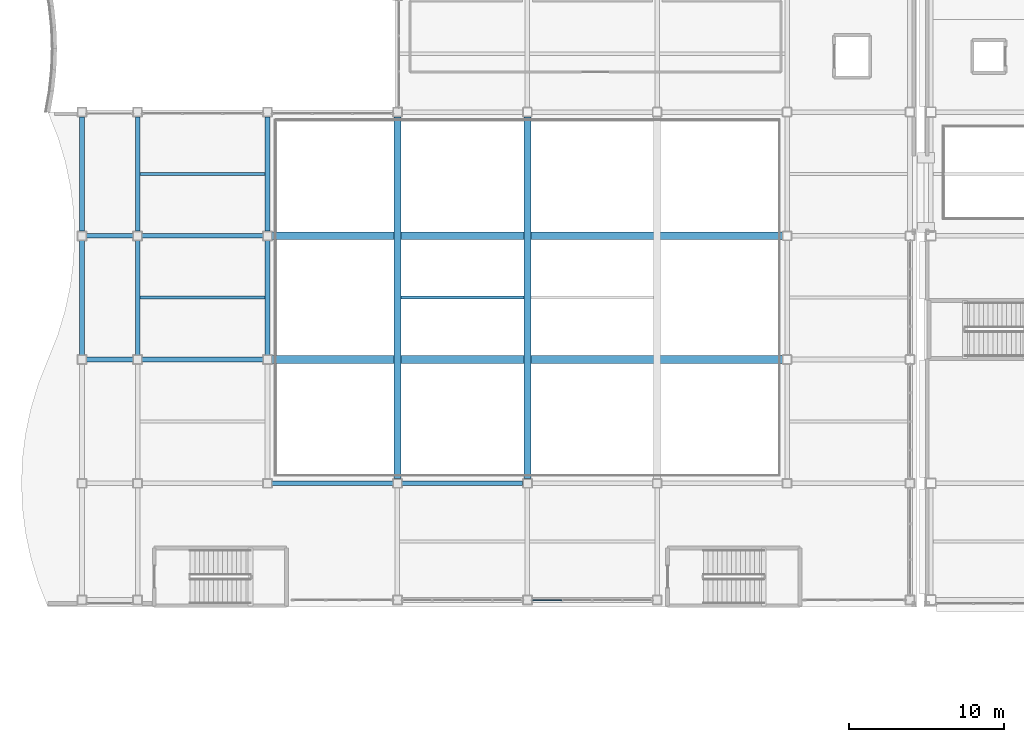
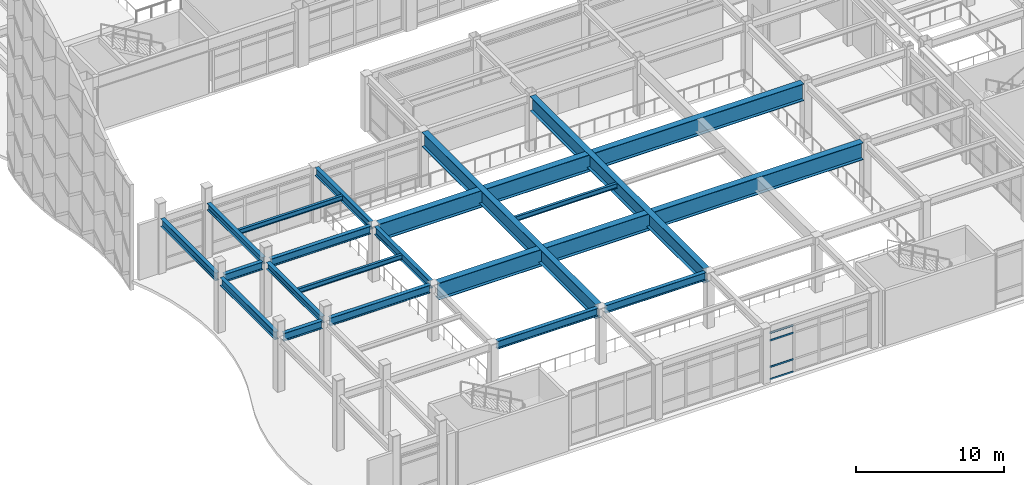
# One storey, part 12 of 172: 19 beams, 4 members, 1 element without a shape of its own.
"""IFC4 building model written with IfcOpenShell, lengths in metres."""

from ifc_helpers import new_model, si_unit, direction, frame, origin, origin_2d, place, context, subcontext, project, spatial, hollow_rectangle, i_section, extrude, material, layer, layer_set, material_profile, profile_set, type_object, element, aggregate, save


model = new_model("IFC4")

# Units and contexts
model_context = context("Model", 3, precision=1e-05, world=origin(), true_north=direction((0.0, 1.0)))
body_context = subcontext(model_context, "Body", "Model", "MODEL_VIEW")
ifc_project = project(units=[si_unit("LENGTHUNIT", "METRE"), si_unit("AREAUNIT", "SQUARE_METRE"), si_unit("VOLUMEUNIT", "CUBIC_METRE"), si_unit("PLANEANGLEUNIT", "RADIAN"), si_unit("MASSUNIT", "GRAM", prefix="KILO")], contexts=[model_context])

# Site, building, storey
site_placement = place(None, origin())
site = spatial("IfcSite", under=ifc_project, at=site_placement, CompositionType="ELEMENT")
building_placement = place(site_placement, origin())
building = spatial("IfcBuilding", under=site, at=building_placement, Name="Kazehara Bluff Congress Hotel", CompositionType="ELEMENT")
storey_placement = place(building_placement, frame((0.0, 0.0, 5.39990234375)))
storey = spatial("IfcBuildingStorey", under=building, at=storey_placement, Name="L01", CompositionType="ELEMENT", Elevation=5.39990234375)

# Curtain wall, members
ifc_material_1 = material(Name="Anodised aluminium", Category="aluminium")
ifc_layer = layer(ifc_material_1, 0.159912109375)
ifc_layer_set = layer_set([ifc_layer], Name="Anodised aluminium")
curtain_wall_type = type_object("IfcCurtainWallType", Name="TP-CW-29", PredefinedType="NOTDEFINED", material=ifc_layer_set)
curtain_wall_placement = place(storey_placement, origin())
curtain_wall = element("IfcCurtainWall", 1, at=curtain_wall_placement, inside=storey, type_object=curtain_wall_type, Name="L01 curtain wall CW-29 CW-V2-L01-Y45-3390", PredefinedType="NOTDEFINED")
ifc_material_2 = material(Name="Anodised aluminium", Category="aluminium")
ifc_material_profile_1 = material_profile(ifc_material_2, hollow_rectangle(XDim=0.06494140625, YDim=0.139892578125, WallThickness=0.00390625, InnerFilletRadius=0.00390625, OuterFilletRadius=0.008056640625, at=origin_2d()))
ifc_profile_set_1 = profile_set([ifc_material_profile_1], Name="Anodised aluminium")
member_type = type_object("IfcMemberType", Name="TP-CWT-02", PredefinedType="USERDEFINED", material=ifc_profile_set_1)
member_1_placement = place(storey_placement, frame((33.965087890625, 0.449951171875, 0.03271484375), z_axis=(1.0, 0.0, 0.0), x_axis=(0.0, 1.0, 0.0)))
member_1 = element("IfcMember", 2, at=member_1_placement, type_object=member_type, Name="CW-29 transom 1.1", ObjectType="TRANSOM", PredefinedType="USERDEFINED", context=body_context, shape_type="SweptSolid", body=[
    extrude(hollow_rectangle(XDim=0.06494140625, YDim=0.139892578125, WallThickness=0.00390625, InnerFilletRadius=0.00390625, OuterFilletRadius=0.008056640625, at=origin_2d()), origin(), (0.0, 0.0, 1.0), 1.852294921875),
])
member_2_placement = place(storey_placement, frame((33.965087890625, 0.449951171875, 1.050048828125), z_axis=(1.0, 0.0, 0.0), x_axis=(0.0, 1.0, 0.0)))
member_2 = element("IfcMember", 3, at=member_2_placement, type_object=member_type, Name="CW-29 transom 1.2", ObjectType="TRANSOM", PredefinedType="USERDEFINED", context=body_context, shape_type="SweptSolid", body=[
    extrude(hollow_rectangle(XDim=0.06494140625, YDim=0.139892578125, WallThickness=0.00390625, InnerFilletRadius=0.00390625, OuterFilletRadius=0.008056640625, at=origin_2d()), origin(), (0.0, 0.0, 1.0), 1.852294921875),
])
member_3_placement = place(storey_placement, frame((33.965087890625, 0.449951171875, 3.22509765625), z_axis=(1.0, 0.0, 0.0), x_axis=(0.0, 1.0, 0.0)))
member_3 = element("IfcMember", 4, at=member_3_placement, type_object=member_type, Name="CW-29 transom 1.3", ObjectType="TRANSOM", PredefinedType="USERDEFINED", context=body_context, shape_type="SweptSolid", body=[
    extrude(hollow_rectangle(XDim=0.06494140625, YDim=0.139892578125, WallThickness=0.00390625, InnerFilletRadius=0.00390625, OuterFilletRadius=0.008056640625, at=origin_2d()), origin(), (0.0, 0.0, 1.0), 1.852294921875),
])
member_4_placement = place(storey_placement, frame((33.965087890625, 0.449951171875, 3.842529296875), z_axis=(1.0, 0.0, 0.0), x_axis=(0.0, 1.0, 0.0)))
member_4 = element("IfcMember", 5, at=member_4_placement, type_object=member_type, Name="CW-29 transom 1.4", ObjectType="TRANSOM", PredefinedType="USERDEFINED", context=body_context, shape_type="SweptSolid", body=[
    extrude(hollow_rectangle(XDim=0.06494140625, YDim=0.139892578125, WallThickness=0.00390625, InnerFilletRadius=0.00390625, OuterFilletRadius=0.008056640625, at=origin_2d()), origin(), (0.0, 0.0, 1.0), 1.852294921875),
])
aggregate(curtain_wall, [member_1, member_2, member_3, member_4])

# Beams
ifc_material_3 = material(Name="Steel SN490B", Category="steel")
ifc_material_profile_2 = material_profile(ifc_material_3, i_section(OverallWidth=0.300048828125, OverallDepth=0.64990234375, WebThickness=0.011962890625, FlangeThickness=0.02001953125, FilletRadius=0.012939453125, at=origin_2d()))
ifc_profile_set_2 = profile_set([ifc_material_profile_2], Name="Steel SN490B")
beam_type_1 = type_object("IfcBeamType", Name="TP-G-03", PredefinedType="BEAM", material=ifc_profile_set_2)
for number, where, z_axis, x_axis, name in (
    (6, (4.800048828125, 16.300048828125, 4.22509765625), (0.0, 1.0, 0.0), (-1.0, 0.0, 0.0), "L01 girder G-03 43"),
    (7, (4.800048828125, 24.300048828125, 4.22509765625), (0.0, 1.0, 0.0), (-1.0, 0.0, 0.0), "L01 girder G-03 44"),
    (8, (16.800048828125, 16.300048828125, 4.22509765625), (0.0, 1.0, 0.0), (-1.0, 0.0, 0.0), "L01 girder G-03 50"),
    (9, (16.800048828125, 24.300048828125, 4.22509765625), (0.0, 1.0, 0.0), (-1.0, 0.0, 0.0), "L01 girder G-03 51"),
):
    element("IfcBeam", number, at=place(storey_placement, frame(where, z_axis=z_axis, x_axis=x_axis)), inside=storey, type_object=beam_type_1, Name=name, PredefinedType="BEAM", context=body_context, shape_type="SweptSolid", body=[
        extrude(i_section(OverallWidth=0.300048828125, OverallDepth=0.64990234375, WebThickness=0.011962890625, FlangeThickness=0.02001953125, FilletRadius=0.012939453125, at=origin_2d()), origin(), (0.0, 0.0, 1.0), 7.39990234375),
    ])
beam_1_placement = place(storey_placement, frame((17.10009765625, 8.0, 4.22509765625), z_axis=(1.0, 0.0, 0.0), x_axis=(0.0, 1.0, 0.0)))
element("IfcBeam", 10, at=beam_1_placement, inside=storey, type_object=beam_type_1, Name="L01 girder G-03 75", PredefinedType="BEAM", context=body_context, shape_type="SweptSolid", body=[
    extrude(i_section(OverallWidth=0.300048828125, OverallDepth=0.64990234375, WebThickness=0.011962890625, FlangeThickness=0.02001953125, FilletRadius=0.012939453125, at=origin_2d()), origin(), (0.0, 0.0, 1.0), 7.7998046875),
])
beam_2_placement = place(storey_placement, frame((25.5, 8.0, 4.22509765625), z_axis=(1.0, 0.0, 0.0), x_axis=(0.0, 1.0, 0.0)))
element("IfcBeam", 11, at=beam_2_placement, inside=storey, type_object=beam_type_1, Name="L01 girder G-03 76", PredefinedType="BEAM", context=body_context, shape_type="SweptSolid", body=[
    extrude(i_section(OverallWidth=0.300048828125, OverallDepth=0.64990234375, WebThickness=0.011962890625, FlangeThickness=0.02001953125, FilletRadius=0.012939453125, at=origin_2d()), origin(), (0.0, 0.0, 1.0), 7.800048828125),
])
beam_3_placement = place(storey_placement, frame((5.10009765625, 16.0, 4.22509765625), z_axis=(1.0, 0.0, 0.0), x_axis=(0.0, 1.0, 0.0)))
element("IfcBeam", 12, at=beam_3_placement, inside=storey, type_object=beam_type_1, Name="L01 girder G-03 80", PredefinedType="BEAM", context=body_context, shape_type="SweptSolid", body=[
    extrude(i_section(OverallWidth=0.300048828125, OverallDepth=0.64990234375, WebThickness=0.011962890625, FlangeThickness=0.02001953125, FilletRadius=0.012939453125, at=origin_2d()), origin(), (0.0, 0.0, 1.0), 3.0),
])
beam_4_placement = place(storey_placement, frame((8.699951171875, 16.0, 4.22509765625), z_axis=(1.0, 0.0, 0.0), x_axis=(0.0, 1.0, 0.0)))
element("IfcBeam", 13, at=beam_4_placement, inside=storey, type_object=beam_type_1, Name="L01 girder G-03 81", PredefinedType="BEAM", context=body_context, shape_type="SweptSolid", body=[
    extrude(i_section(OverallWidth=0.300048828125, OverallDepth=0.64990234375, WebThickness=0.011962890625, FlangeThickness=0.02001953125, FilletRadius=0.012939453125, at=origin_2d()), origin(), (0.0, 0.0, 1.0), 7.800048828125),
])
beam_5_placement = place(storey_placement, frame((5.10009765625, 24.0, 4.22509765625), z_axis=(1.0, 0.0, 0.0), x_axis=(0.0, 1.0, 0.0)))
element("IfcBeam", 14, at=beam_5_placement, inside=storey, type_object=beam_type_1, Name="L01 girder G-03 84", PredefinedType="BEAM", context=body_context, shape_type="SweptSolid", body=[
    extrude(i_section(OverallWidth=0.300048828125, OverallDepth=0.64990234375, WebThickness=0.011962890625, FlangeThickness=0.02001953125, FilletRadius=0.012939453125, at=origin_2d()), origin(), (0.0, 0.0, 1.0), 3.0),
])
beam_6_placement = place(storey_placement, frame((8.699951171875, 24.0, 4.22509765625), z_axis=(1.0, 0.0, 0.0), x_axis=(0.0, 1.0, 0.0)))
element("IfcBeam", 15, at=beam_6_placement, inside=storey, type_object=beam_type_1, Name="L01 girder G-03 85", PredefinedType="BEAM", context=body_context, shape_type="SweptSolid", body=[
    extrude(i_section(OverallWidth=0.300048828125, OverallDepth=0.64990234375, WebThickness=0.011962890625, FlangeThickness=0.02001953125, FilletRadius=0.012939453125, at=origin_2d()), origin(), (0.0, 0.0, 1.0), 7.800048828125),
])
ifc_material_4 = material(Name="Steel SN490B", Category="steel")
ifc_material_profile_3 = material_profile(ifc_material_4, i_section(OverallWidth=0.449951171875, OverallDepth=1.199951171875, WebThickness=0.02001953125, FlangeThickness=0.031982421875, at=origin_2d()))
ifc_profile_set_3 = profile_set([ifc_material_profile_3], Name="Steel SN490B")
beam_type_2 = type_object("IfcBeamType", Name="TP-G-10", PredefinedType="BEAM", material=ifc_profile_set_3)
for number, where, z_axis, x_axis, name in (
    (16, (25.199951171875, 8.300048828125, 3.9501953125), (0.0, 1.0, 0.0), (-1.0, 0.0, 0.0), "L01 girder G-10 53"),
    (17, (33.60009765625, 8.300048828125, 3.9501953125), (0.0, 1.0, 0.0), (-1.0, 0.0, 0.0), "L01 girder G-10 56"),
):
    element("IfcBeam", number, at=place(storey_placement, frame(where, z_axis=z_axis, x_axis=x_axis)), inside=storey, type_object=beam_type_2, Name=name, PredefinedType="BEAM", context=body_context, shape_type="SweptSolid", body=[
        extrude(i_section(OverallWidth=0.449951171875, OverallDepth=1.199951171875, WebThickness=0.02001953125, FlangeThickness=0.031982421875, at=origin_2d()), origin(), (0.0, 0.0, 1.0), 23.39990234375),
    ])
ifc_material_5 = material(Name="Steel SN490B", Category="steel")
ifc_material_profile_4 = material_profile(ifc_material_5, i_section(OverallWidth=0.5, OverallDepth=1.39990234375, WebThickness=0.02197265625, FlangeThickness=0.035888671875, at=origin_2d()))
ifc_profile_set_4 = profile_set([ifc_material_profile_4], Name="Steel SN490B")
beam_type_3 = type_object("IfcBeamType", Name="TP-G-13", PredefinedType="BEAM", material=ifc_profile_set_4)
for number, where, z_axis, x_axis, name in (
    (18, (17.10009765625, 16.0, 3.85009765625), (1.0, 0.0, 0.0), (0.0, 1.0, 0.0), "L01 girder G-13 82"),
    (19, (17.10009765625, 24.0, 3.85009765625), (1.0, 0.0, 0.0), (0.0, 1.0, 0.0), "L01 girder G-13 86"),
):
    element("IfcBeam", number, at=place(storey_placement, frame(where, z_axis=z_axis, x_axis=x_axis)), inside=storey, type_object=beam_type_3, Name=name, PredefinedType="BEAM", context=body_context, shape_type="SweptSolid", body=[
        extrude(i_section(OverallWidth=0.5, OverallDepth=1.39990234375, WebThickness=0.02197265625, FlangeThickness=0.035888671875, at=origin_2d()), origin(), (0.0, 0.0, 1.0), 33.0),
    ])
ifc_material_6 = material(Name="Steel SN400B", Category="steel")
ifc_material_profile_5 = material_profile(ifc_material_6, i_section(OverallWidth=0.199951171875, OverallDepth=0.39990234375, WebThickness=0.008056640625, FlangeThickness=0.012939453125, FilletRadius=0.012939453125, at=origin_2d()))
ifc_profile_set_5 = profile_set([ifc_material_profile_5], Name="Steel SN400B")
beam_type_4 = type_object("IfcBeamType", Name="TP-J-03", PredefinedType="JOIST", material=ifc_profile_set_5)
for number, where, z_axis, x_axis, name in (
    (20, (8.550048828125, 20.0, 4.35009765625), (1.0, 0.0, 0.0), (0.0, 1.0, 0.0), "L01 secondary joist J-03 2"),
    (21, (8.550048828125, 28.0, 4.35009765625), (1.0, 0.0, 0.0), (0.0, 1.0, 0.0), "L01 secondary joist J-03 3"),
):
    element("IfcBeam", number, at=place(storey_placement, frame(where, z_axis=z_axis, x_axis=x_axis)), inside=storey, type_object=beam_type_4, Name=name, PredefinedType="JOIST", context=body_context, shape_type="SweptSolid", body=[
        extrude(i_section(OverallWidth=0.199951171875, OverallDepth=0.39990234375, WebThickness=0.008056640625, FlangeThickness=0.012939453125, FilletRadius=0.012939453125, at=origin_2d()), origin(), (0.0, 0.0, 1.0), 8.099853515625),
    ])
beam_7_placement = place(storey_placement, frame((25.425048828125, 20.0, 4.35009765625), z_axis=(1.0, 0.0, 0.0), x_axis=(0.0, 1.0, 0.0)))
element("IfcBeam", 22, at=beam_7_placement, inside=storey, type_object=beam_type_4, Name="L01 secondary joist J-03 5", PredefinedType="JOIST", context=body_context, shape_type="SweptSolid", body=[
    extrude(i_section(OverallWidth=0.199951171875, OverallDepth=0.39990234375, WebThickness=0.008056640625, FlangeThickness=0.012939453125, FilletRadius=0.012939453125, at=origin_2d()), origin(), (0.0, 0.0, 1.0), 7.949951171875),
])
ifc_material_7 = material(Name="Steel SN490B", Category="steel")
ifc_material_profile_6 = material_profile(ifc_material_7, i_section(OverallWidth=0.300048828125, OverallDepth=0.550048828125, WebThickness=0.010986328125, FlangeThickness=0.01806640625, FilletRadius=0.012939453125, at=origin_2d()))
ifc_profile_set_6 = profile_set([ifc_material_profile_6], Name="Steel SN490B")
beam_type_5 = type_object("IfcBeamType", Name="TP-SP-01", PredefinedType="SPANDREL", material=ifc_profile_set_6)
for number, where, z_axis, x_axis, name in (
    (23, (8.39990234375, 16.300048828125, 4.275146484375), (0.0, 1.0, 0.0), (-1.0, 0.0, 0.0), "L01 girder SP-01 47"),
    (24, (8.39990234375, 24.300048828125, 4.275146484375), (0.0, 1.0, 0.0), (-1.0, 0.0, 0.0), "L01 girder SP-01 48"),
):
    element("IfcBeam", number, at=place(storey_placement, frame(where, z_axis=z_axis, x_axis=x_axis)), inside=storey, type_object=beam_type_5, Name=name, PredefinedType="SPANDREL", context=body_context, shape_type="SweptSolid", body=[
        extrude(i_section(OverallWidth=0.300048828125, OverallDepth=0.550048828125, WebThickness=0.010986328125, FlangeThickness=0.01806640625, FilletRadius=0.012939453125, at=origin_2d()), origin(), (0.0, 0.0, 1.0), 7.39990234375),
    ])

save(model, "model.ifc")
